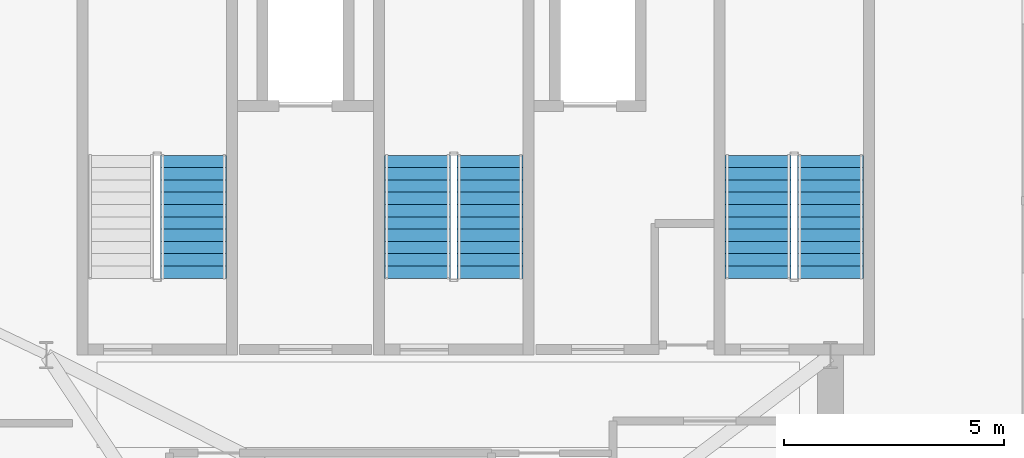
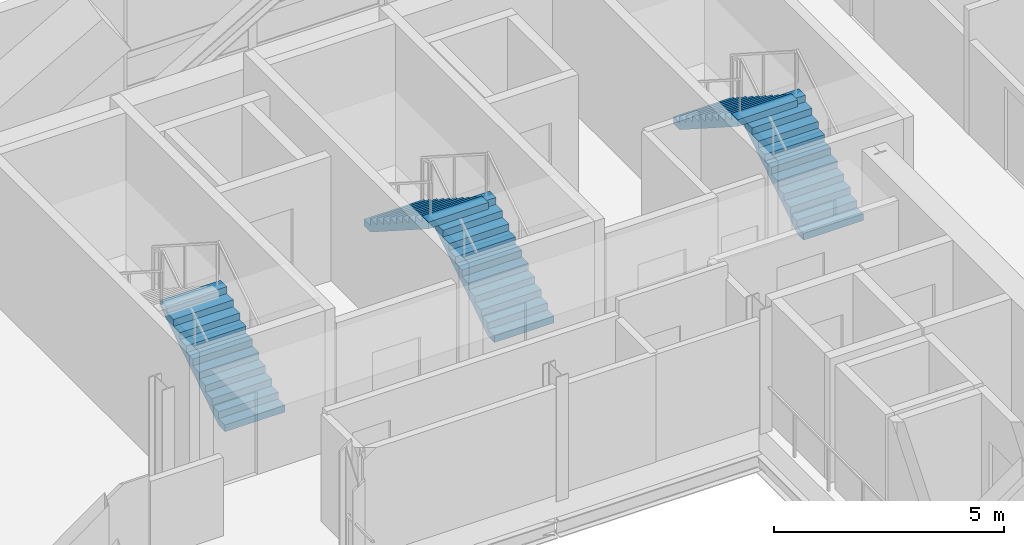
# One storey, part 9 of 12: 5 stair flights, 3 elements without a shape of their own.
"""IFC4 building model written with IfcOpenShell, lengths in metres."""

from ifc_helpers import new_model, si_unit, direction, frame, origin, place, context, subcontext, project, spatial, polyline, outline, extrude, source, transform, mapped, material, type_object, element, aggregate, save


model = new_model("IFC4")

# Units and contexts
model_context = context("Model", 3, precision=1e-05, world=origin(), true_north=direction((0.0, 1.0)))
body_context = subcontext(model_context, "Body", "Model", "MODEL_VIEW")
ifc_project = project(units=[si_unit("LENGTHUNIT", "METRE"), si_unit("AREAUNIT", "SQUARE_METRE"), si_unit("VOLUMEUNIT", "CUBIC_METRE"), si_unit("PLANEANGLEUNIT", "RADIAN"), si_unit("MASSUNIT", "GRAM", prefix="KILO")], contexts=[model_context])

# Site, building, storey
site_placement = place(None, origin())
site = spatial("IfcSite", under=ifc_project, at=site_placement, CompositionType="ELEMENT")
building_placement = place(site_placement, origin())
building = spatial("IfcBuilding", under=site, at=building_placement, Name="Vardaveli Station Tower", CompositionType="ELEMENT")
storey_placement = place(building_placement, frame((0.0, 0.0, 282.199951171875)))
storey = spatial("IfcBuildingStorey", under=building, at=storey_placement, Name="L72", CompositionType="ELEMENT", Elevation=282.199951171875)

# Stair, stair flight
ifc_material = material(Name="Concrete C40/50", Category="concrete")
stair_type = type_object("IfcStairType", Name="STR-CORE-1500", PredefinedType="HALF_TURN_STAIR", material=ifc_material)
stair_1_placement = place(storey_placement, origin())
stair_1 = element("IfcStair", 1, at=stair_1_placement, inside=storey, type_object=stair_type, Name="L72 ST-1", PredefinedType="HALF_TURN_STAIR")
stair_flight_type = type_object("IfcStairFlightType", Name="SFL-CORE-1500", PredefinedType="STRAIGHT", material=ifc_material)
shared_shape = source(origin(), body_context, "Body", "SweptSolid", [
    extrude(outline(polyline([(0.0, 0.0), (0.0, 0.179443359375), (0.280029296875, 0.179443359375), (0.280029296875, 0.359130859375), (0.56005859375, 0.359130859375), (0.56005859375, 0.53857421875), (0.840087890625, 0.53857421875), (0.840087890625, 0.71826171875), (1.1201171875, 0.71826171875), (1.1201171875, 0.897705078125), (1.39990234375, 0.897705078125), (1.39990234375, 1.077392578125), (1.679931640625, 1.077392578125), (1.679931640625, 1.2568359375), (1.9599609375, 1.2568359375), (1.9599609375, 1.436279296875), (2.239990234375, 1.436279296875), (2.239990234375, 1.615966796875), (2.52001953125, 1.615966796875), (2.52001953125, 1.79541015625), (2.800048828125, 1.79541015625), (2.800048828125, 1.97509765625), (2.800048828125, 1.617431640625), (0.277587890625, 0.0), (0.0, 0.0)])), frame((0.0, 0.75, 0.0), z_axis=(0.0, -1.0, 0.0), x_axis=(1.0, 0.0, 0.0)), (0.0, 0.0, 1.0), 1.5),
])
stair_flight_1_placement = place(storey_placement, frame((32.0, 32.39990234375, 0.0), z_axis=(0.0, 0.0, 1.0), x_axis=(0.0, 1.0, 0.0)))
stair_flight_1 = element("IfcStairFlight", 2, at=stair_flight_1_placement, type_object=stair_flight_type, Name="ST-1 flight 1", NumberOfRisers=11, NumberOfTreads=10, PredefinedType="STRAIGHT", RiserHeight=0.179545455, TreadLength=0.28, context=body_context, shape_type="MappedRepresentation", body=[
    mapped(shared_shape, transform((0.0, 0.0, 0.0), scale=1.0)),
])
aggregate(stair_1, [stair_flight_1])

# Stair, stair flights
stair_2_placement = place(storey_placement, origin())
stair_2 = element("IfcStair", 3, at=stair_2_placement, inside=storey, type_object=stair_type, Name="L72 ST-2", PredefinedType="HALF_TURN_STAIR")
stair_flight_2_placement = place(storey_placement, frame((38.75, 32.39990234375, 0.0), z_axis=(0.0, 0.0, 1.0), x_axis=(0.0, 1.0, 0.0)))
stair_flight_2 = element("IfcStairFlight", 4, at=stair_flight_2_placement, type_object=stair_flight_type, Name="ST-2 flight 1", NumberOfRisers=11, NumberOfTreads=10, PredefinedType="STRAIGHT", RiserHeight=0.179545455, TreadLength=0.28, context=body_context, shape_type="MappedRepresentation", body=[
    mapped(shared_shape, transform((0.0, 0.0, 0.0), scale=1.0)),
])
stair_flight_3_placement = place(storey_placement, frame((37.10009765625, 35.199951171875, 1.97509765625), z_axis=(0.0, 0.0, 1.0), x_axis=(0.0, -1.0, 0.0)))
stair_flight_3 = element("IfcStairFlight", 5, at=stair_flight_3_placement, type_object=stair_flight_type, Name="ST-2 flight 2", NumberOfRisers=11, NumberOfTreads=10, PredefinedType="STRAIGHT", RiserHeight=0.179545455, TreadLength=0.28, context=body_context, shape_type="MappedRepresentation", body=[
    mapped(shared_shape, transform((0.0, 0.0, 0.0), scale=1.0)),
])
aggregate(stair_2, [stair_flight_2, stair_flight_3])

stair_3_placement = place(storey_placement, origin())
stair_3 = element("IfcStair", 6, at=stair_3_placement, inside=storey, type_object=stair_type, Name="L72 ST-3", PredefinedType="HALF_TURN_STAIR")
stair_flight_4_placement = place(storey_placement, frame((46.5, 32.39990234375, 0.0), z_axis=(0.0, 0.0, 1.0), x_axis=(0.0, 1.0, 0.0)))
stair_flight_4 = element("IfcStairFlight", 7, at=stair_flight_4_placement, type_object=stair_flight_type, Name="ST-3 flight 1", NumberOfRisers=11, NumberOfTreads=10, PredefinedType="STRAIGHT", RiserHeight=0.179545455, TreadLength=0.28, context=body_context, shape_type="MappedRepresentation", body=[
    mapped(shared_shape, transform((0.0, 0.0, 0.0), scale=1.0)),
])
stair_flight_5_placement = place(storey_placement, frame((44.85009765625, 35.199951171875, 1.97509765625), z_axis=(0.0, 0.0, 1.0), x_axis=(0.0, -1.0, 0.0)))
stair_flight_5 = element("IfcStairFlight", 8, at=stair_flight_5_placement, type_object=stair_flight_type, Name="ST-3 flight 2", NumberOfRisers=11, NumberOfTreads=10, PredefinedType="STRAIGHT", RiserHeight=0.179545455, TreadLength=0.28, context=body_context, shape_type="MappedRepresentation", body=[
    mapped(shared_shape, transform((0.0, 0.0, 0.0), scale=1.0)),
])
aggregate(stair_3, [stair_flight_4, stair_flight_5])

save(model, "model.ifc")
